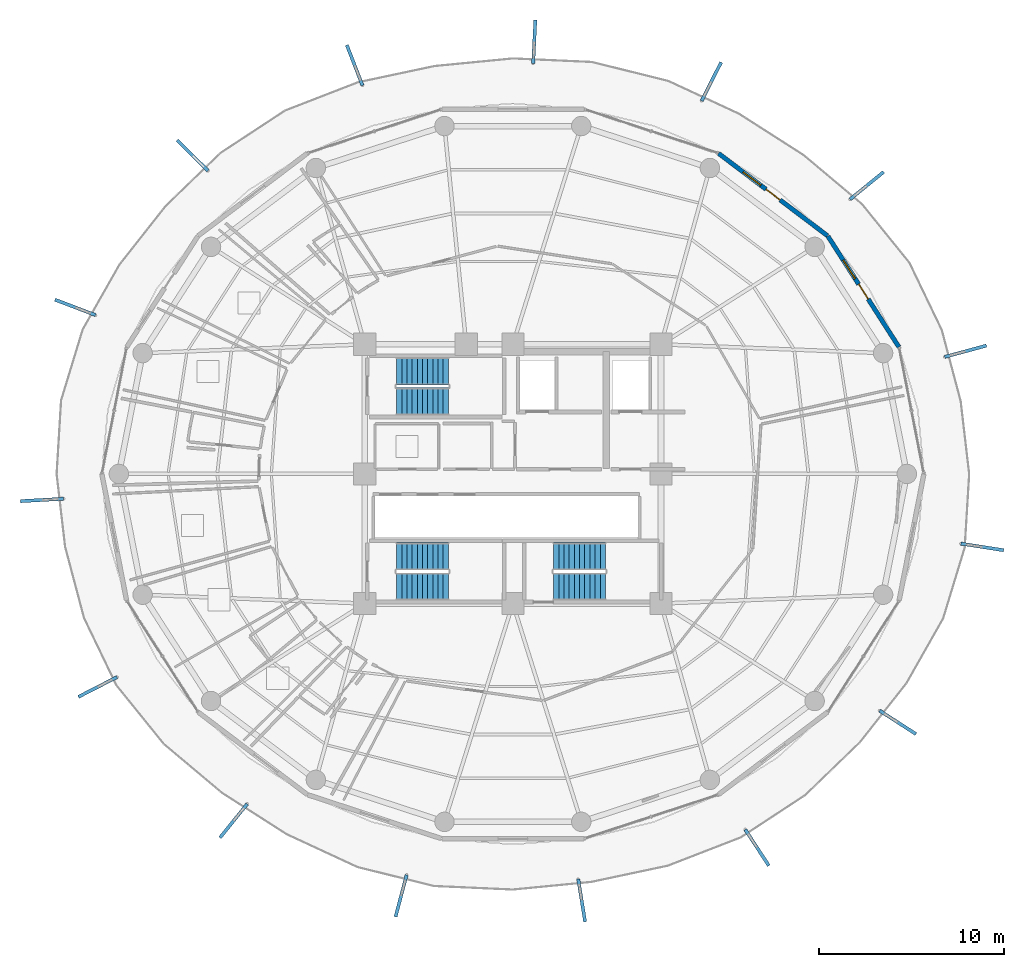
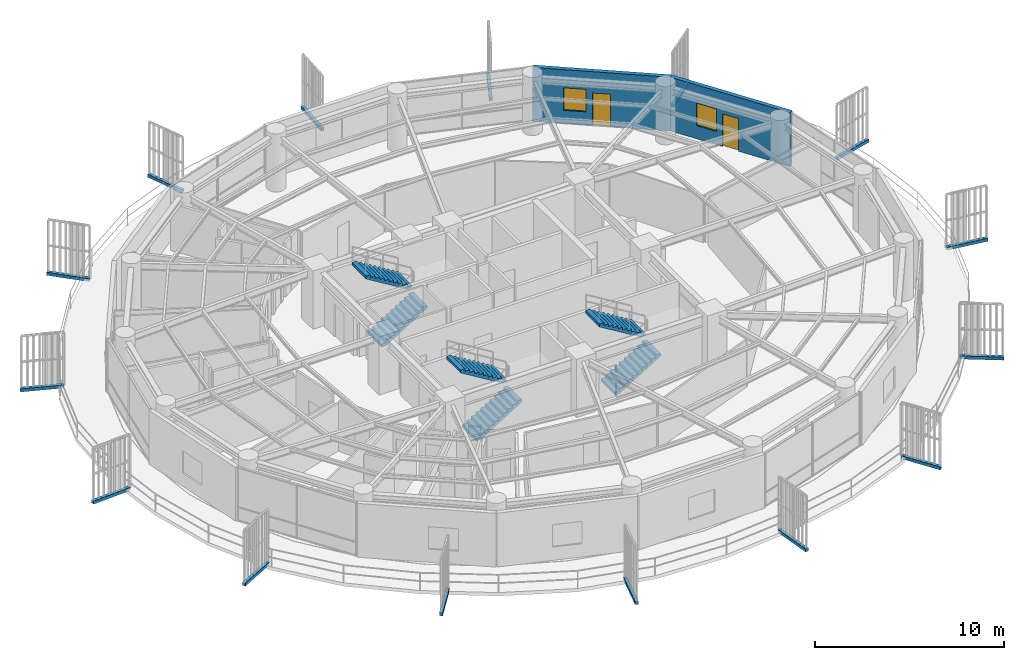
# One storey, part 27 of 31: 15 discrete accessories, 6 stair flights, 2 doors, 2 walls, 2 windows, 4 openings, 3 elements without a shape of their own.
"""IFC4 building model written with IfcOpenShell, lengths in metres."""

from ifc_helpers import new_model, si_unit, direction, frame, frame_2d, origin, origin_2d, place, context, subcontext, project, spatial, polyline, rectangle, outline, extrude, source, transform, mapped, material, layer, layer_set, type_object, element, fill, aggregate, save


model = new_model("IFC4")

# Units and contexts
model_context = context("Model", 3, precision=1e-05, world=origin(), true_north=direction((0.0, 1.0)))
body_context = subcontext(model_context, "Body", "Model", "MODEL_VIEW")
ifc_project = project(units=[si_unit("LENGTHUNIT", "METRE"), si_unit("AREAUNIT", "SQUARE_METRE"), si_unit("VOLUMEUNIT", "CUBIC_METRE"), si_unit("PLANEANGLEUNIT", "RADIAN"), si_unit("MASSUNIT", "GRAM", prefix="KILO")], contexts=[model_context])

# Site, building, storey
site_placement = place(None, origin())
site = spatial("IfcSite", under=ifc_project, at=site_placement, CompositionType="ELEMENT")
building_placement = place(site_placement, origin())
building = spatial("IfcBuilding", under=site, at=building_placement, Name="Kelanora Arch Commons", CompositionType="ELEMENT")
storey_placement = place(building_placement, frame((0.0, 0.0, 196.949951171875)))
storey = spatial("IfcBuildingStorey", under=building, at=storey_placement, Name="L50", CompositionType="ELEMENT", Elevation=196.949951171875)

# Wall, openings, door, window
ifc_material_1 = material(Name="Precast concrete C40/50 upper-zone terracotta rainscreen", Category="masonry")
ifc_layer = layer(ifc_material_1, 0.239990234375)
ifc_layer_set = layer_set([ifc_layer], Name="Precast concrete C40/50 upper-zone terracotta rainscreen")
wall_type = type_object("IfcWallType", Name="W-EXT-TC2", PredefinedType="SOLIDWALL", material=ifc_layer_set)
wall_1_placement = place(storey_placement, frame((94.85302734375, 64.85302734375, 0.0), z_axis=(0.0, 0.0, 1.0), x_axis=(-0.539539512973, 0.841960280501, 0.0)))
wall_1 = element("IfcWall", 1, at=wall_1_placement, inside=storey, type_object=wall_type, Name="Terracotta Exterior Wall L50-B01", PredefinedType="SOLIDWALL", context=body_context, shape_type="SweptSolid", body=[
    extrude(rectangle(XDim=7.11474609375, YDim=0.239990234375, at=frame_2d((3.557373046875, 0.0))), origin(), (0.0, 0.0, 1.0), 3.47509765625),
])
opening_1_placement = place(wall_1_placement, frame((3.08203125, 0.0, 0.0)))
opening_1 = element("IfcOpeningElement", 2, at=opening_1_placement, cuts=wall_1, Name="Opening DB-01", PredefinedType="OPENING", context=body_context, shape_type="SweptSolid", body=[
    extrude(rectangle(XDim=0.949951171875, YDim=2.10009765625, at=frame_2d((0.47509765625, 1.050048828125))), frame((0.0, 0.1298828125, 0.0), z_axis=(0.0, -1.0, 0.0), x_axis=(1.0, 0.0, 0.0)), (0.0, 0.0, 1.0), 0.260009765625),
])
opening_2_placement = place(wall_1_placement, frame((4.382080078125, 0.0, 0.85009765625)))
opening_2 = element("IfcOpeningElement", 3, at=opening_2_placement, cuts=wall_1, Name="Opening WN-02", PredefinedType="OPENING", context=body_context, shape_type="SweptSolid", body=[
    extrude(rectangle(XDim=1.199951171875, YDim=1.449951171875, at=frame_2d((0.60009765625, 0.72509765625))), frame((0.0, 0.1298828125, 0.0), z_axis=(0.0, -1.0, 0.0), x_axis=(1.0, 0.0, 0.0)), (0.0, 0.0, 1.0), 0.260009765625),
])
ifc_material_2 = material(Name="Terracotta-aluminium thermally broken glazed balcony door", Category="masonry")
door_type = type_object("IfcDoorType", Name="D-BAL-10", OperationType="NOTDEFINED", PredefinedType="DOOR", material=ifc_material_2)
door_1_placement = place(opening_1_placement, frame((0.949951171875, 0.0, 0.0), z_axis=(0.0, 0.0, 1.0), x_axis=(-1.0, 0.0, 0.0)))
door_1 = element("IfcDoor", 4, at=door_1_placement, inside=storey, type_object=door_type, Name="Wave Balcony Door L50-B01", OperationType="SINGLE_SWING_RIGHT", OverallHeight=2.10009765625, OverallWidth=0.949951171875, PredefinedType="DOOR", context=body_context, shape_type="SweptSolid", body=[
    extrude(rectangle(XDim=0.949951171875, YDim=2.10009765625, at=frame_2d((0.47509765625, 1.050048828125))), frame((0.0, 0.02490234375, 0.0), z_axis=(0.0, -1.0, 0.0), x_axis=(1.0, 0.0, 0.0)), (0.0, 0.0, 1.0), 0.050048828125),
])
fill(opening_1, door_1)
ifc_material_3 = material(Name="Terracotta-anodised aluminium frame with operable awning sash", Category="masonry")
window_type = type_object("IfcWindowType", Name="WIN-CL-12", PartitioningType="SINGLE_PANEL", PredefinedType="WINDOW", material=ifc_material_3)
window_1_placement = place(opening_2_placement, origin())
window_1 = element("IfcWindow", 5, at=window_1_placement, inside=storey, type_object=window_type, Name="Co-Living Operable Window L50-B01", OverallHeight=1.449951171875, OverallWidth=1.199951171875, PartitioningType="SINGLE_PANEL", PredefinedType="WINDOW", context=body_context, shape_type="SweptSolid", body=[
    extrude(rectangle(XDim=1.199951171875, YDim=1.449951171875, at=frame_2d((0.60009765625, 0.72509765625))), frame((0.0, 0.030029296875, 0.0), z_axis=(0.0, -1.0, 0.0), x_axis=(1.0, 0.0, 0.0)), (0.0, 0.0, 1.0), 0.06005859375),
])
fill(opening_2, window_1)

wall_2_placement = place(storey_placement, frame((90.994140625, 70.86474609375, 0.0), z_axis=(0.0, 0.0, 1.0), x_axis=(-0.797701674595, 0.603052268338, 0.0)))
wall_2 = element("IfcWall", 6, at=wall_2_placement, inside=storey, type_object=wall_type, Name="Terracotta Exterior Wall L50-B02", PredefinedType="SOLIDWALL", context=body_context, shape_type="SweptSolid", body=[
    extrude(rectangle(XDim=7.373779296875, YDim=0.239990234375, at=frame_2d((3.68701171875, 0.0))), origin(), (0.0, 0.0, 1.0), 3.47509765625),
])
opening_3_placement = place(wall_2_placement, frame((3.2119140625, 0.0, 0.0)))
opening_3 = element("IfcOpeningElement", 7, at=opening_3_placement, cuts=wall_2, Name="Opening DB-01", PredefinedType="OPENING", context=body_context, shape_type="SweptSolid", body=[
    extrude(rectangle(XDim=0.949951171875, YDim=2.10009765625, at=frame_2d((0.47509765625, 1.050048828125))), frame((0.0, 0.1298828125, 0.0), z_axis=(0.0, -1.0, 0.0), x_axis=(1.0, 0.0, 0.0)), (0.0, 0.0, 1.0), 0.260009765625),
])
opening_4_placement = place(wall_2_placement, frame((4.511962890625, 0.0, 0.85009765625)))
opening_4 = element("IfcOpeningElement", 8, at=opening_4_placement, cuts=wall_2, Name="Opening WN-02", PredefinedType="OPENING", context=body_context, shape_type="SweptSolid", body=[
    extrude(rectangle(XDim=1.199951171875, YDim=1.449951171875, at=frame_2d((0.60009765625, 0.72509765625))), frame((0.0, 0.1298828125, 0.0), z_axis=(0.0, -1.0, 0.0), x_axis=(1.0, 0.0, 0.0)), (0.0, 0.0, 1.0), 0.260009765625),
])
door_2_placement = place(opening_3_placement, frame((0.949951171875, 0.0, 0.0), z_axis=(0.0, 0.0, 1.0), x_axis=(-1.0, 0.0, 0.0)))
door_2 = element("IfcDoor", 9, at=door_2_placement, inside=storey, type_object=door_type, Name="Wave Balcony Door L50-B02", OperationType="SINGLE_SWING_LEFT", OverallHeight=2.10009765625, OverallWidth=0.949951171875, PredefinedType="DOOR", context=body_context, shape_type="SweptSolid", body=[
    extrude(rectangle(XDim=0.949951171875, YDim=2.10009765625, at=frame_2d((0.47509765625, 1.050048828125))), frame((0.0, 0.02490234375, 0.0), z_axis=(0.0, -1.0, 0.0), x_axis=(1.0, 0.0, 0.0)), (0.0, 0.0, 1.0), 0.050048828125),
])
fill(opening_3, door_2)
window_2_placement = place(opening_4_placement, origin())
window_2 = element("IfcWindow", 10, at=window_2_placement, inside=storey, type_object=window_type, Name="Co-Living Operable Window L50-B02", OverallHeight=1.449951171875, OverallWidth=1.199951171875, PartitioningType="SINGLE_PANEL", PredefinedType="WINDOW", context=body_context, shape_type="SweptSolid", body=[
    extrude(rectangle(XDim=1.199951171875, YDim=1.449951171875, at=frame_2d((0.60009765625, 0.72509765625))), frame((0.0, 0.030029296875, 0.0), z_axis=(0.0, -1.0, 0.0), x_axis=(1.0, 0.0, 0.0)), (0.0, 0.0, 1.0), 0.06005859375),
])
fill(opening_4, window_2)

# Stair, stair flights
ifc_material_4 = material(Name="Concrete C40/50", Category="concrete")
stair_type = type_object("IfcStairType", Name="STR-DL-375", PredefinedType="HALF_TURN_STAIR", material=ifc_material_4)
stair_1_placement = place(storey_placement, origin())
stair_1 = element("IfcStair", 11, at=stair_1_placement, inside=storey, type_object=stair_type, Name="L50 ST-T1", PredefinedType="HALF_TURN_STAIR")
stair_flight_type = type_object("IfcStairFlightType", Name="FLT-DL-375", PredefinedType="STRAIGHT", material=ifc_material_4)
stair_flight_1_placement = place(storey_placement, frame((67.719970703125, 61.919921875, 0.0), z_axis=(0.0, 0.0, 1.0), x_axis=(1.0, 0.0, 0.0)))
stair_flight_1 = element("IfcStairFlight", 12, at=stair_flight_1_placement, type_object=stair_flight_type, Name="ST-T1 flight 1", NumberOfRisers=11, NumberOfTreads=10, PredefinedType="STRAIGHT", RiserHeight=0.170454545, TreadLength=0.28, context=body_context, shape_type="SweptSolid", body=[
    extrude(outline(polyline([(0.0, 0.0), (0.0, 0.17041015625), (0.280029296875, 0.17041015625), (0.280029296875, 0.3408203125), (0.56005859375, 0.3408203125), (0.56005859375, 0.511474609375), (0.840087890625, 0.511474609375), (0.840087890625, 0.681884765625), (1.1201171875, 0.681884765625), (1.1201171875, 0.852294921875), (1.39990234375, 0.852294921875), (1.39990234375, 1.022705078125), (1.679931640625, 1.022705078125), (1.679931640625, 1.193115234375), (1.9599609375, 1.193115234375), (1.9599609375, 1.363525390625), (2.239990234375, 1.363525390625), (2.239990234375, 1.5341796875), (2.52001953125, 1.5341796875), (2.52001953125, 1.70458984375), (2.800048828125, 1.70458984375), (2.800048828125, 1.875), (2.800048828125, 1.529052734375), (0.288330078125, 0.0), (0.0, 0.0)])), frame((0.0, 0.739990234375, 0.0), z_axis=(0.0, -1.0, 0.0), x_axis=(1.0, 0.0, 0.0)), (0.0, 0.0, 1.0), 1.47998046875),
])
stair_flight_2_placement = place(storey_placement, frame((70.52001953125, 63.550048828125, 1.875), z_axis=(0.0, 0.0, 1.0), x_axis=(-1.0, 0.0, 0.0)))
stair_flight_2 = element("IfcStairFlight", 13, at=stair_flight_2_placement, type_object=stair_flight_type, Name="ST-T1 flight 2", NumberOfRisers=11, NumberOfTreads=10, PredefinedType="STRAIGHT", RiserHeight=0.170454545, TreadLength=0.28, context=body_context, shape_type="SweptSolid", body=[
    extrude(outline(polyline([(0.0, 0.0), (0.0, 0.17041015625), (0.280029296875, 0.17041015625), (0.280029296875, 0.3408203125), (0.56005859375, 0.3408203125), (0.56005859375, 0.511474609375), (0.840087890625, 0.511474609375), (0.840087890625, 0.681884765625), (1.1201171875, 0.681884765625), (1.1201171875, 0.852294921875), (1.39990234375, 0.852294921875), (1.39990234375, 1.022705078125), (1.679931640625, 1.022705078125), (1.679931640625, 1.193115234375), (1.9599609375, 1.193115234375), (1.9599609375, 1.363525390625), (2.239990234375, 1.363525390625), (2.239990234375, 1.5341796875), (2.52001953125, 1.5341796875), (2.52001953125, 1.70458984375), (2.800048828125, 1.70458984375), (2.800048828125, 1.875), (2.800048828125, 1.529052734375), (0.288330078125, 0.0), (0.0, 0.0)])), frame((0.0, 0.739990234375, 0.0), z_axis=(0.0, -1.0, 0.0), x_axis=(1.0, 0.0, 0.0)), (0.0, 0.0, 1.0), 1.47998046875),
])
aggregate(stair_1, [stair_flight_1, stair_flight_2])

stair_2_placement = place(storey_placement, origin())
stair_2 = element("IfcStair", 14, at=stair_2_placement, inside=storey, type_object=stair_type, Name="L50 ST-T2", PredefinedType="HALF_TURN_STAIR")
stair_flight_3_placement = place(storey_placement, frame((76.199951171875, 51.919921875, 0.0), z_axis=(0.0, 0.0, 1.0), x_axis=(1.0, 0.0, 0.0)))
stair_flight_3 = element("IfcStairFlight", 15, at=stair_flight_3_placement, type_object=stair_flight_type, Name="ST-T2 flight 1", NumberOfRisers=11, NumberOfTreads=10, PredefinedType="STRAIGHT", RiserHeight=0.170454545, TreadLength=0.28, context=body_context, shape_type="SweptSolid", body=[
    extrude(outline(polyline([(0.0, 0.0), (0.0, 0.17041015625), (0.280029296875, 0.17041015625), (0.280029296875, 0.3408203125), (0.56005859375, 0.3408203125), (0.56005859375, 0.511474609375), (0.840087890625, 0.511474609375), (0.840087890625, 0.681884765625), (1.1201171875, 0.681884765625), (1.1201171875, 0.852294921875), (1.39990234375, 0.852294921875), (1.39990234375, 1.022705078125), (1.679931640625, 1.022705078125), (1.679931640625, 1.193115234375), (1.9599609375, 1.193115234375), (1.9599609375, 1.363525390625), (2.239990234375, 1.363525390625), (2.239990234375, 1.5341796875), (2.52001953125, 1.5341796875), (2.52001953125, 1.70458984375), (2.800048828125, 1.70458984375), (2.800048828125, 1.875), (2.800048828125, 1.529052734375), (0.288330078125, 0.0), (0.0, 0.0)])), frame((0.0, 0.739990234375, 0.0), z_axis=(0.0, -1.0, 0.0), x_axis=(1.0, 0.0, 0.0)), (0.0, 0.0, 1.0), 1.47998046875),
])
stair_flight_4_placement = place(storey_placement, frame((79.0, 53.550048828125, 1.875), z_axis=(0.0, 0.0, 1.0), x_axis=(-1.0, 0.0, 0.0)))
stair_flight_4 = element("IfcStairFlight", 16, at=stair_flight_4_placement, type_object=stair_flight_type, Name="ST-T2 flight 2", NumberOfRisers=11, NumberOfTreads=10, PredefinedType="STRAIGHT", RiserHeight=0.170454545, TreadLength=0.28, context=body_context, shape_type="SweptSolid", body=[
    extrude(outline(polyline([(0.0, 0.0), (0.0, 0.17041015625), (0.280029296875, 0.17041015625), (0.280029296875, 0.3408203125), (0.56005859375, 0.3408203125), (0.56005859375, 0.511474609375), (0.840087890625, 0.511474609375), (0.840087890625, 0.681884765625), (1.1201171875, 0.681884765625), (1.1201171875, 0.852294921875), (1.39990234375, 0.852294921875), (1.39990234375, 1.022705078125), (1.679931640625, 1.022705078125), (1.679931640625, 1.193115234375), (1.9599609375, 1.193115234375), (1.9599609375, 1.363525390625), (2.239990234375, 1.363525390625), (2.239990234375, 1.5341796875), (2.52001953125, 1.5341796875), (2.52001953125, 1.70458984375), (2.800048828125, 1.70458984375), (2.800048828125, 1.875), (2.800048828125, 1.529052734375), (0.288330078125, 0.0), (0.0, 0.0)])), frame((0.0, 0.739990234375, 0.0), z_axis=(0.0, -1.0, 0.0), x_axis=(1.0, 0.0, 0.0)), (0.0, 0.0, 1.0), 1.47998046875),
])
aggregate(stair_2, [stair_flight_3, stair_flight_4])

stair_3_placement = place(storey_placement, origin())
stair_3 = element("IfcStair", 17, at=stair_3_placement, inside=storey, type_object=stair_type, Name="L50 ST-T3", PredefinedType="HALF_TURN_STAIR")
stair_flight_5_placement = place(storey_placement, frame((67.719970703125, 51.919921875, 0.0), z_axis=(0.0, 0.0, 1.0), x_axis=(1.0, 0.0, 0.0)))
stair_flight_5 = element("IfcStairFlight", 18, at=stair_flight_5_placement, type_object=stair_flight_type, Name="ST-T3 flight 1", NumberOfRisers=11, NumberOfTreads=10, PredefinedType="STRAIGHT", RiserHeight=0.170454545, TreadLength=0.28, context=body_context, shape_type="SweptSolid", body=[
    extrude(outline(polyline([(0.0, 0.0), (0.0, 0.17041015625), (0.280029296875, 0.17041015625), (0.280029296875, 0.3408203125), (0.56005859375, 0.3408203125), (0.56005859375, 0.511474609375), (0.840087890625, 0.511474609375), (0.840087890625, 0.681884765625), (1.1201171875, 0.681884765625), (1.1201171875, 0.852294921875), (1.39990234375, 0.852294921875), (1.39990234375, 1.022705078125), (1.679931640625, 1.022705078125), (1.679931640625, 1.193115234375), (1.9599609375, 1.193115234375), (1.9599609375, 1.363525390625), (2.239990234375, 1.363525390625), (2.239990234375, 1.5341796875), (2.52001953125, 1.5341796875), (2.52001953125, 1.70458984375), (2.800048828125, 1.70458984375), (2.800048828125, 1.875), (2.800048828125, 1.529052734375), (0.288330078125, 0.0), (0.0, 0.0)])), frame((0.0, 0.739990234375, 0.0), z_axis=(0.0, -1.0, 0.0), x_axis=(1.0, 0.0, 0.0)), (0.0, 0.0, 1.0), 1.47998046875),
])
stair_flight_6_placement = place(storey_placement, frame((70.52001953125, 53.550048828125, 1.875), z_axis=(0.0, 0.0, 1.0), x_axis=(-1.0, 0.0, 0.0)))
stair_flight_6 = element("IfcStairFlight", 19, at=stair_flight_6_placement, type_object=stair_flight_type, Name="ST-T3 flight 2", NumberOfRisers=11, NumberOfTreads=10, PredefinedType="STRAIGHT", RiserHeight=0.170454545, TreadLength=0.28, context=body_context, shape_type="SweptSolid", body=[
    extrude(outline(polyline([(0.0, 0.0), (0.0, 0.17041015625), (0.280029296875, 0.17041015625), (0.280029296875, 0.3408203125), (0.56005859375, 0.3408203125), (0.56005859375, 0.511474609375), (0.840087890625, 0.511474609375), (0.840087890625, 0.681884765625), (1.1201171875, 0.681884765625), (1.1201171875, 0.852294921875), (1.39990234375, 0.852294921875), (1.39990234375, 1.022705078125), (1.679931640625, 1.022705078125), (1.679931640625, 1.193115234375), (1.9599609375, 1.193115234375), (1.9599609375, 1.363525390625), (2.239990234375, 1.363525390625), (2.239990234375, 1.5341796875), (2.52001953125, 1.5341796875), (2.52001953125, 1.70458984375), (2.800048828125, 1.70458984375), (2.800048828125, 1.875), (2.800048828125, 1.529052734375), (0.288330078125, 0.0), (0.0, 0.0)])), frame((0.0, 0.739990234375, 0.0), z_axis=(0.0, -1.0, 0.0), x_axis=(1.0, 0.0, 0.0)), (0.0, 0.0, 1.0), 1.47998046875),
])
aggregate(stair_3, [stair_flight_5, stair_flight_6])

# Discrete accessories
ifc_material_5 = material(Name="Stainless steel 316 marine fin bracket", Category="steel")
discrete_accessory_type = type_object("IfcDiscreteAccessoryType", Name="ACC-FIN-BRK", PredefinedType="BRACKET", material=ifc_material_5)
shared_shape = source(origin(), body_context, "Body", "SweptSolid", [
    extrude(rectangle(XDim=2.337158203125, YDim=0.179931640625, at=origin_2d()), origin(), (0.0, 0.0, 1.0), 0.199951171875),
])
for number, where, z_axis, x_axis, name in (
    (20, (94.787841796875, 44.584228515625, -0.16015625), (0.0, 0.0, 1.0), (0.840188215011, -0.542294904417, 0.0), "Sweeping Fin Cantilever Spine Bracket L50-00"),
    (21, (99.35107421875, 54.05859375, -0.16015625), (0.0, 0.0, 1.0), (0.988121336368, -0.153675712507, 0.0), "Sweeping Fin Cantilever Spine Bracket L50-01"),
    (22, (98.4501953125, 64.626220703125, -0.16015625), (0.0, 0.0, 1.0), (0.965199301866, 0.261515406195, 0.0), "Sweeping Fin Cantilever Spine Bracket L50-02"),
    (23, (93.118896484375, 73.572509765625, -0.16015625), (0.0, 0.0, 1.0), (0.775385539511, 0.631488135373, 0.0), "Sweeping Fin Cantilever Spine Bracket L50-03"),
    (24, (84.721923828125, 79.19189453125, -0.16015625), (0.0, 0.0, 1.0), (0.451500573218, 0.892270829056, 0.0), "Sweeping Fin Cantilever Spine Bracket L50-04"),
    (25, (75.15673828125, 81.34130859375, -0.16015625), (0.0, 0.0, 1.0), (0.049547056062, 0.998771790368, 0.0), "Sweeping Fin Cantilever Spine Bracket L50-05"),
    (26, (65.4541015625, 80.07470703125, -0.16015625), (0.0, 0.0, 1.0), (-0.360973597208, 0.93257603557, 0.0), "Sweeping Fin Cantilever Spine Bracket L50-06"),
    (27, (56.7021484375, 75.19970703125, -0.16015625), (0.0, 0.0, 1.0), (-0.709078636179, 0.705129412033, 0.0), "Sweeping Fin Cantilever Spine Bracket L50-07"),
    (28, (50.36328125, 66.99609375, -0.16015625), (0.0, 0.0, 1.0), (-0.934577537177, 0.355759507257, 0.0), "Sweeping Fin Cantilever Spine Bracket L50-08"),
    (29, (48.567138671875, 56.594482421875, -0.16015625), (0.0, 0.0, 1.0), (-0.998479491627, -0.055124448298, 0.0), "Sweeping Fin Cantilever Spine Bracket L50-09"),
    (30, (51.578857421875, 46.495361328125, -0.16015625), (0.0, 0.0, 1.0), (-0.889735271073, -0.456476885952, 0.0), "Sweeping Fin Cantilever Spine Bracket L50-10"),
    (31, (58.9150390625, 39.262939453125, -0.16015625), (0.0, 0.0, 1.0), (-0.62714773916, -0.778900323063, 0.0), "Sweeping Fin Cantilever Spine Bracket L50-11"),
    (32, (67.963134765625, 35.210693359375, -0.16015625), (0.0, 0.0, 1.0), (-0.256120665687, -0.966644818229, 0.0), "Sweeping Fin Cantilever Spine Bracket L50-12"),
    (33, (77.715576171875, 34.9658203125, -0.16015625), (0.0, 0.0, 1.0), (0.159191997666, -0.98724764263, 0.0), "Sweeping Fin Cantilever Spine Bracket L50-13"),
    (34, (87.18798828125, 37.818115234375, -0.16015625), (0.0, 0.0, 1.0), (0.546978918409, -0.837146380758, 0.0), "Sweeping Fin Cantilever Spine Bracket L50-14"),
):
    element("IfcDiscreteAccessory", number, at=place(storey_placement, frame(where, z_axis=z_axis, x_axis=x_axis)), inside=storey, type_object=discrete_accessory_type, Name=name, PredefinedType="BRACKET", context=body_context, shape_type="MappedRepresentation", body=[
        mapped(shared_shape, transform((0.0, 0.0, 0.0), scale=1.0)),
    ])

save(model, "model.ifc")
